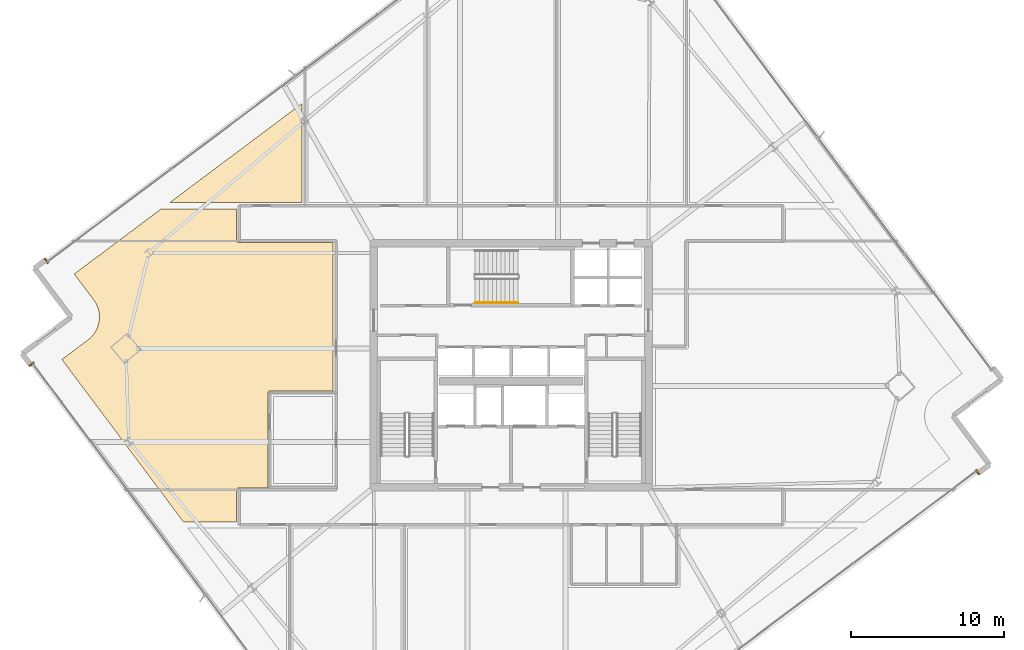
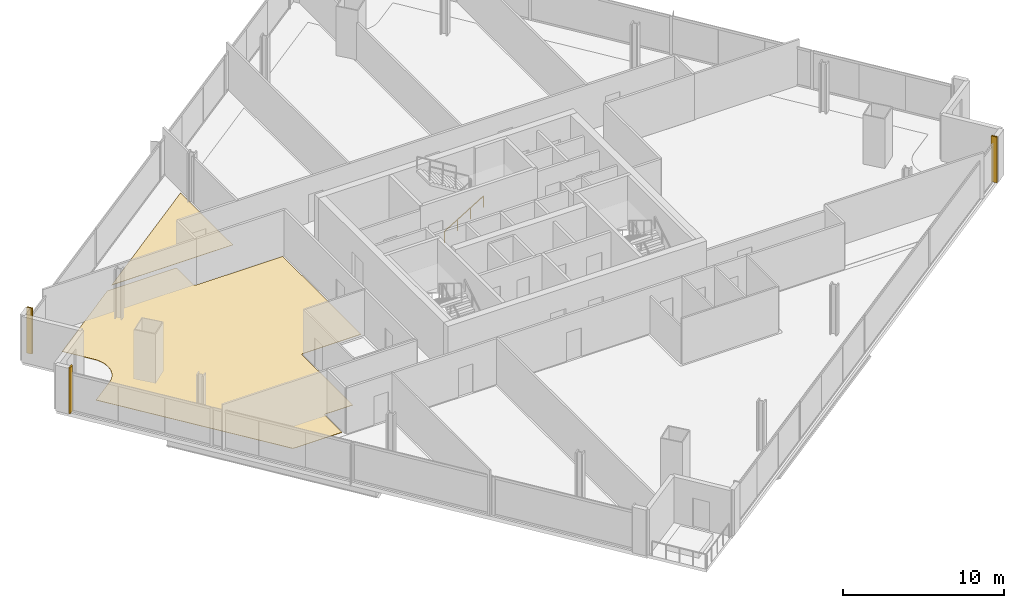
# One storey, part 30 of 32: 5 coverings, 1 railing.
"""IFC4 building model written with IfcOpenShell, lengths in metres."""

import ifcopenshell
import ifcopenshell.guid

model = None  # the IFC model being written
_history = None  # IfcOwnerHistory: only IFC2X3 demands one
_inside = {}  # id of a spatial element -> (the spatial element, [elements in it])
_under = {}  # id of a project, library or spatial element -> (it, [spatial elements below it])
_declared = {}  # id of a project -> (the project, [libraries it declares])
_typed = {}  # id of a type object -> (the type object, [elements of that type])
_made_of = {}  # id of a material, layer set ... -> (it, [elements and type objects made of it])


def new_model(schema):
    """Start an empty IFC model of exactly this schema.

    Asked for "IFC4X3", IfcOpenShell would pick the latest addendum, in which some entities
    have other attributes; the version numbers below select the first issue.
    IFC2X3 requires an IfcOwnerHistory on every rooted entity: one is made here for all.
    """
    global model, _history
    if schema == "IFC4X3":
        model = ifcopenshell.file(schema_version=(4, 3, 0, 0))
    else:
        model = ifcopenshell.file(schema=schema)
    _inside.clear()
    _under.clear()
    _declared.clear()
    _typed.clear()
    _made_of.clear()
    _history = None
    if model.schema == "IFC2X3":
        org = make("IfcOrganization", Name="unknown")
        user = make(
            "IfcPersonAndOrganization",
            ThePerson=make("IfcPerson", FamilyName="unknown"),
            TheOrganization=org,
        )
        app = make(
            "IfcApplication",
            ApplicationDeveloper=org,
            Version="unknown",
            ApplicationFullName="unknown",
            ApplicationIdentifier="unknown",
        )
        _history = make(
            "IfcOwnerHistory",
            OwningUser=user,
            OwningApplication=app,
            ChangeAction="ADDED",
            CreationDate=0,
        )
    return model


def make(cls, **values):
    """One entity of the class cls with the attributes given. An attribute that is None is left unset."""
    return model.create_entity(
        cls, **{name: value for name, value in values.items() if value is not None}
    )


def rooted(cls, **values):
    """An entity with a GlobalId (a new one), such as an element, a storey or a relation."""
    return make(cls, GlobalId=ifcopenshell.guid.new(), OwnerHistory=_history, **values)


def si_unit(unit_type, name, prefix=None):
    """IfcSIUnit, for example si_unit("LENGTHUNIT", "METRE", prefix="MILLI")."""
    return make("IfcSIUnit", UnitType=unit_type, Prefix=prefix, Name=name)


def assignment(units):
    """IfcUnitAssignment: the units of a project."""
    return None if units is None else make("IfcUnitAssignment", Units=units)


def point(xyz):
    """IfcCartesianPoint."""
    return None if xyz is None else make("IfcCartesianPoint", Coordinates=xyz)


def direction(xyz):
    """IfcDirection."""
    return None if xyz is None else make("IfcDirection", DirectionRatios=xyz)


def frame(location, z_axis=None, x_axis=None):
    """IfcAxis2Placement3D, a coordinate frame: its origin and axes. An axis left out is left unset."""
    return make(
        "IfcAxis2Placement3D",
        Location=point(location),
        Axis=direction(z_axis),
        RefDirection=direction(x_axis),
    )


def frame_2d(location, x_axis=None):
    """IfcAxis2Placement2D, a coordinate frame in the plane: its origin and x axis."""
    return make(
        "IfcAxis2Placement2D", Location=point(location), RefDirection=direction(x_axis)
    )


def origin():
    """The frame at (0, 0, 0) with its axes left unset."""
    return frame((0.0, 0.0, 0.0))


def origin_2d():
    """The frame at (0, 0) in the plane with its x axis left unset."""
    return frame_2d((0.0, 0.0))


def place(relative_to, where):
    """IfcLocalPlacement: puts the frame where relative to a parent placement (None: the world)."""
    return make(
        "IfcLocalPlacement", PlacementRelTo=relative_to, RelativePlacement=where
    )


def context(
    kind, dimensions, precision=None, world=None, true_north=None, identifier=None
):
    """IfcGeometricRepresentationContext, for example the 3D "Model" context."""
    return make(
        "IfcGeometricRepresentationContext",
        ContextIdentifier=identifier,
        ContextType=kind,
        CoordinateSpaceDimension=dimensions,
        Precision=precision,
        WorldCoordinateSystem=world,
        TrueNorth=true_north,
    )


def subcontext(parent, identifier, kind, view, scale=None):
    """IfcGeometricRepresentationSubContext, for example "Body" below "Model"."""
    return make(
        "IfcGeometricRepresentationSubContext",
        ContextIdentifier=identifier,
        ContextType=kind,
        ParentContext=parent,
        TargetScale=scale,
        TargetView=view,
    )


def project(units=None, contexts=None):
    """IfcProject with its units and contexts."""
    return rooted(
        "IfcProject",
        Name="project",
        RepresentationContexts=contexts,
        UnitsInContext=assignment(units),
    )


def spatial(cls, under=None, at=None, **own):
    """A site, building, storey or space (cls), placed at a placement, below another one or the project."""
    s = rooted(cls, ObjectPlacement=at, **own)
    if under is not None:
        _under.setdefault(under.id(), (under, []))[1].append(s)
    return s


def polyline(points):
    """IfcPolyline through the points."""
    return make("IfcPolyline", Points=[point(p) for p in points])


def profile(cls, at=None, kind="AREA", **sizes):
    """A parametric profile (cls). Its sizes go by their IFC names, for example OverallWidth=200.0."""
    return make(cls, ProfileType=kind, Position=at, **sizes)


def rectangle(**sizes):
    """IfcRectangleProfileDef."""
    return profile("IfcRectangleProfileDef", **sizes)


def outline(outer, holes=None, kind="AREA"):
    """IfcArbitraryClosedProfileDef: a profile drawn as a closed curve; with holes, ...WithVoids."""
    if holes is None:
        return make("IfcArbitraryClosedProfileDef", ProfileType=kind, OuterCurve=outer)
    return make(
        "IfcArbitraryProfileDefWithVoids",
        ProfileType=kind,
        OuterCurve=outer,
        InnerCurves=holes,
    )


def extrude(swept, where, along, depth):
    """IfcExtrudedAreaSolid: the profile swept, set in the frame where, extruded along a direction by depth."""
    return make(
        "IfcExtrudedAreaSolid",
        SweptArea=swept,
        Position=where,
        ExtrudedDirection=direction(along),
        Depth=depth,
    )


def shape(context_of_items, identifier, shape_type, items):
    """IfcShapeRepresentation: the items that make up one representation, for example the "Body"."""
    return make(
        "IfcShapeRepresentation",
        ContextOfItems=context_of_items,
        RepresentationIdentifier=identifier,
        RepresentationType=shape_type,
        Items=items,
    )


def source(mapping_origin, context_of_items, identifier, shape_type, items):
    """IfcRepresentationMap: a shape defined once, which mapped items show again and again."""
    return make(
        "IfcRepresentationMap",
        MappingOrigin=mapping_origin,
        MappedRepresentation=shape(context_of_items, identifier, shape_type, items),
    )


def transform(
    local_origin,
    x_axis=None,
    y_axis=None,
    z_axis=None,
    scale=None,
    scale2=None,
    scale3=None,
    uniform=True,
):
    """IfcCartesianTransformationOperator3D, or its non-uniform kind. x_axis, y_axis, z_axis: its Axis1, 2, 3."""
    if uniform:
        return make(
            "IfcCartesianTransformationOperator3D",
            Axis1=direction(x_axis),
            Axis2=direction(y_axis),
            LocalOrigin=point(local_origin),
            Scale=scale,
            Axis3=direction(z_axis),
        )
    return make(
        "IfcCartesianTransformationOperator3DnonUniform",
        Axis1=direction(x_axis),
        Axis2=direction(y_axis),
        LocalOrigin=point(local_origin),
        Scale=scale,
        Axis3=direction(z_axis),
        Scale2=scale2,
        Scale3=scale3,
    )


def mapped(mapping_source, mapping_target):
    """IfcMappedItem: shows the shape of a source again, moved by a transform."""
    return make(
        "IfcMappedItem", MappingSource=mapping_source, MappingTarget=mapping_target
    )


def material(Name=None, Category=None):
    """IfcMaterial."""
    return make("IfcMaterial", Name=Name, Category=Category)


def layer(
    of_material, thickness, ventilated=None, Name=None, Category=None, Priority=None
):
    """IfcMaterialLayer: one layer of a wall or slab, of a material (None: an air gap)."""
    return make(
        "IfcMaterialLayer",
        Material=of_material,
        LayerThickness=thickness,
        IsVentilated=ventilated,
        Name=Name,
        Category=Category,
        Priority=Priority,
    )


def layer_set(layers, Name=None):
    """IfcMaterialLayerSet."""
    return make("IfcMaterialLayerSet", MaterialLayers=layers, LayerSetName=Name)


def made_of(thing, what):
    """Note that an element or type object is made of a material, layer set ...; save() writes the relation."""
    if what is not None:
        _made_of.setdefault(what.id(), (what, []))[1].append(thing)
    return thing


def type_object(cls, material=None, **own):
    """A type object (cls), such as IfcWallType, which elements share."""
    return made_of(rooted(cls, **own), material)


def element(
    cls,
    number,
    at=None,
    inside=None,
    cuts=None,
    type_object=None,
    material=None,
    context=None,
    identifier="Body",
    shape_type=None,
    held_by="IfcProductDefinitionShape",
    body=None,
    shapes=None,
    **own,
):
    """One element of the class cls, such as IfcWall. Its Tag is "e" and its number.

    at: its placement. inside: the storey or other place that contains it. cuts: it is an
    opening in that element (IfcRelVoidsElement). A single representation is given by context,
    identifier, shape_type and body (its items); several are given by shapes. held_by: the class
    of the entity that holds the representations. save() writes the other relations.
    """
    e = rooted(cls, Tag="e%d" % number, ObjectPlacement=at, **own)
    if body is not None:
        shapes = [shape(context, identifier, shape_type, body)]
    if shapes is not None:
        e.Representation = make(held_by, Representations=shapes)
    if inside is not None:
        _inside.setdefault(inside.id(), (inside, []))[1].append(e)
    if cuts is not None:
        rooted(
            "IfcRelVoidsElement", RelatingBuildingElement=cuts, RelatedOpeningElement=e
        )
    if type_object is not None:
        _typed.setdefault(type_object.id(), (type_object, []))[1].append(e)
    return made_of(e, material)


def aggregate(whole, parts):
    """IfcRelAggregates: a whole, such as a stair, and the parts it consists of."""
    return rooted("IfcRelAggregates", RelatingObject=whole, RelatedObjects=parts)


def save(model, path):
    """Write the relations noted so far, then the file.

    IfcRelAggregates (storeys below a building ...), IfcRelContainedInSpatialStructure (elements
    in a storey), IfcRelDefinesByType, IfcRelAssociatesMaterial and IfcRelDeclares: one each for
    every whole, place, type object, material and project.
    """
    for whole, parts in _under.values():
        aggregate(whole, parts)
    for where, things in _inside.values():
        rooted(
            "IfcRelContainedInSpatialStructure",
            RelatedElements=things,
            RelatingStructure=where,
        )
    for kind, things in _typed.values():
        rooted("IfcRelDefinesByType", RelatedObjects=things, RelatingType=kind)
    for what, things in _made_of.values():
        rooted("IfcRelAssociatesMaterial", RelatedObjects=things, RelatingMaterial=what)
    for by, libraries in _declared.values():
        rooted("IfcRelDeclares", RelatingContext=by, RelatedDefinitions=libraries)
    model.write(path)


model = new_model("IFC4")

# Units and contexts
model_context = context("Model", 3, precision=1e-05, world=origin(), true_north=direction((0.0, 1.0)))
body_context = subcontext(model_context, "Body", "Model", "MODEL_VIEW")
ifc_project = project(units=[si_unit("LENGTHUNIT", "METRE"), si_unit("AREAUNIT", "SQUARE_METRE"), si_unit("VOLUMEUNIT", "CUBIC_METRE"), si_unit("PLANEANGLEUNIT", "RADIAN"), si_unit("MASSUNIT", "GRAM", prefix="KILO")], contexts=[model_context])

# Site, building, storey
site_placement = place(None, origin())
site = spatial("IfcSite", under=ifc_project, at=site_placement, CompositionType="ELEMENT")
building_placement = place(site_placement, origin())
building = spatial("IfcBuilding", under=site, at=building_placement, Name="Haldenkirk Collegiate Tower", CompositionType="ELEMENT")
storey_placement = place(building_placement, frame((0.0, 0.0, 151.949951171875)))
storey = spatial("IfcBuildingStorey", under=building, at=storey_placement, Name="L37", CompositionType="ELEMENT", Elevation=151.949951171875)

# Coverings
ifc_material_1 = material(Name="Polished collegiate terrazzo", Category="concrete")
ifc_layer_1 = layer(ifc_material_1, 0.02490234375)
ifc_layer_set_1 = layer_set([ifc_layer_1], Name="Polished collegiate terrazzo")
covering_type_1 = type_object("IfcCoveringType", Name="COV-FLOOR-TERRAZZO", PredefinedType="FLOORING", material=ifc_layer_set_1)
covering_1_placement = place(storey_placement, origin())
element("IfcCovering", 1, at=covering_1_placement, inside=storey, type_object=covering_type_1, Name="L37 academic room finish 10", PredefinedType="FLOORING", context=body_context, shape_type="SweptSolid", body=[
    extrude(outline(polyline([(8.283935546875, 27.65771484375), (8.28857421875, 27.66162109375), (8.4208984375, 27.77099609375), (8.4296875, 27.77880859375), (8.550537109375, 27.90087890625), (8.558349609375, 27.90966796875), (8.666748046875, 28.04296875), (8.673828125, 28.052490234375), (8.7685546875, 28.195556640625), (8.7744140625, 28.20556640625), (8.85498046875, 28.357421875), (8.860107421875, 28.3681640625), (8.925048828125, 28.527099609375), (8.928955078125, 28.5380859375), (8.97802734375, 28.70263671875), (8.98095703125, 28.714111328125), (9.013671875, 28.8828125), (9.015380859375, 28.894287109375), (9.031494140625, 29.0654296875), (9.031982421875, 29.0771484375), (9.03125, 29.248779296875), (9.03076171875, 29.260498046875), (9.01318359375, 29.431396484375), (9.011474609375, 29.443115234375), (8.977294921875, 29.611328125), (8.974365234375, 29.622802734375), (8.923583984375, 29.787109375), (8.919677734375, 29.7978515625), (8.853515625, 29.956298828125), (8.848388671875, 29.967041015625), (8.7666015625, 30.1181640625), (8.760498046875, 30.128173828125), (8.66455078125, 30.2705078125), (8.6611328125, 30.275390625), (7.38525390625, 31.98095703125), (13.091796875, 36.25), (18.030029296875, 36.25), (18.030029296875, 34.14990234375), (18.030517578125, 34.13818359375), (18.0322265625, 34.126708984375), (18.03515625, 34.115234375), (18.0390625, 34.10400390625), (18.044189453125, 34.093505859375), (18.05029296875, 34.083251953125), (18.05712890625, 34.073974609375), (18.065185546875, 34.065185546875), (18.073974609375, 34.05712890625), (18.083251953125, 34.05029296875), (18.093505859375, 34.044189453125), (18.10400390625, 34.0390625), (18.115234375, 34.03515625), (18.126708984375, 34.0322265625), (18.13818359375, 34.030517578125), (18.14990234375, 34.030029296875), (24.35009765625, 34.030029296875), (24.35009765625, 24.320068359375), (20.199951171875, 24.320068359375), (20.188232421875, 24.3193359375), (20.176513671875, 24.317626953125), (20.165283203125, 24.314697265625), (20.154052734375, 24.310791015625), (20.143310546875, 24.305908203125), (20.13330078125, 24.2998046875), (20.123779296875, 24.292724609375), (20.114990234375, 24.284912109375), (20.107177734375, 24.276123046875), (20.10009765625, 24.2666015625), (20.09423828125, 24.256591796875), (20.089111328125, 24.245849609375), (20.085205078125, 24.23486328125), (20.082275390625, 24.223388671875), (20.08056640625, 24.2119140625), (20.080078125, 24.199951171875), (20.080078125, 18.0), (20.08056640625, 17.98828125), (20.082275390625, 17.9765625), (20.083984375, 17.969970703125), (18.14990234375, 17.969970703125), (18.13818359375, 17.969482421875), (18.126708984375, 17.9677734375), (18.115234375, 17.96484375), (18.10400390625, 17.9609375), (18.093505859375, 17.955810546875), (18.083251953125, 17.94970703125), (18.073974609375, 17.94287109375), (18.065185546875, 17.934814453125), (18.05712890625, 17.926025390625), (18.05029296875, 17.916748046875), (18.044189453125, 17.906494140625), (18.0390625, 17.89599609375), (18.03515625, 17.884765625), (18.0322265625, 17.873291015625), (18.030517578125, 17.86181640625), (18.030029296875, 17.85009765625), (18.030029296875, 15.75), (14.531982421875, 15.75), (6.57861328125, 26.3818359375), (8.283935546875, 27.65771484375)])), origin(), (0.0, 0.0, 1.0), 0.025146484375),
])
ifc_material_2 = material(Name="Engineered collegiate oak acoustic flooring", Category="wood")
ifc_layer_2 = layer(ifc_material_2, 0.02197265625)
ifc_layer_set_2 = layer_set([ifc_layer_2], Name="Engineered collegiate oak acoustic flooring")
covering_type_2 = type_object("IfcCoveringType", Name="COV-FLOOR-TIMBER", PredefinedType="FLOORING", material=ifc_layer_set_2)
covering_2_placement = place(storey_placement, origin())
element("IfcCovering", 2, at=covering_2_placement, inside=storey, type_object=covering_type_2, Name="L37 academic room finish 05", PredefinedType="FLOORING", context=body_context, shape_type="SweptSolid", body=[
    extrude(outline(polyline([(22.300048828125, 43.138671875), (22.300048828125, 36.64990234375), (13.62646484375, 36.64990234375), (22.300048828125, 43.138671875)])), origin(), (0.0, 0.0, 1.0), 0.02197265625),
])

# Railing
ifc_material_3 = material(Name="Painted architectural tubular steel", Category="steel")
railing_type = type_object("IfcRailingType", Name="RLG-STAIR-HANDRAIL-900", PredefinedType="HANDRAIL", material=ifc_material_3)
railing_placement = place(storey_placement, frame((33.64990234375, 30.10009765625, 0.17041015625)))
element("IfcRailing", 3, at=railing_placement, inside=storey, type_object=railing_type, Name="L37 ST-3 stair handrail 1", PredefinedType="HANDRAIL", context=body_context, shape_type="SweptSolid", body=[
    extrude(rectangle(XDim=0.048095703125, YDim=0.048095703125, at=origin_2d()), frame((0.0, 0.0, 0.8759765625), z_axis=(0.854169791009, 0.0, 0.51999420009), x_axis=(0.0, 1.0, 0.0)), (0.0, 0.0, 1.0), 3.278076171875),
    extrude(rectangle(XDim=0.0419921875, YDim=0.0419921875, at=origin_2d()), origin(), (0.0, 0.0, 1.0), 0.851806640625),
    extrude(rectangle(XDim=0.0419921875, YDim=0.0419921875, at=origin_2d()), frame((0.933349609375, 0.0, 0.568115234375)), (0.0, 0.0, 1.0), 0.851806640625),
    extrude(rectangle(XDim=0.0419921875, YDim=0.0419921875, at=origin_2d()), frame((1.86669921875, 0.0, 1.136474609375)), (0.0, 0.0, 1.0), 0.851806640625),
    extrude(rectangle(XDim=0.0419921875, YDim=0.0419921875, at=origin_2d()), frame((2.800048828125, 0.0, 1.70458984375)), (0.0, 0.0, 1.0), 0.851806640625),
])

# Coverings
ifc_material_4 = material(Name="Anodised architectural bronze aluminium", Category="aluminium")
ifc_layer_3 = layer(ifc_material_4, 0.06005859375)
ifc_layer_set_3 = layer_set([ifc_layer_3], Name="Anodised architectural bronze aluminium")
covering_type_3 = type_object("IfcCoveringType", Name="COV-CLAD-BRONZE-60", PredefinedType="CLADDING", material=ifc_layer_set_3)
shared_shape = source(origin(), body_context, "Body", "SweptSolid", [
    extrude(rectangle(XDim=0.10009765625, YDim=0.3798828125, at=origin_2d()), origin(), (0.0, 0.0, 1.0), 3.4599609375),
])
for number, where, z_axis, x_axis, name in (
    (4, (66.553466796875, 18.99658203125, 0.0), (0.0, 0.0, 1.0), (-0.800731370949, -0.599023598516, 0.0), "L37 recessed curtain-wall bronze jamb closure SJL"),
    (5, (5.56640625, 32.843017578125, 0.0), (0.0, 0.0, 1.0), (0.800731370949, 0.599023598516, 0.0), "L37 recessed curtain-wall bronze jamb closure NJL"),
    (6, (4.590087890625, 26.068359375, 0.0), (0.0, 0.0, 1.0), (-0.599023598516, 0.800731370949, 0.0), "L37 recessed curtain-wall bronze jamb closure WJR"),
):
    element("IfcCovering", number, at=place(storey_placement, frame(where, z_axis=z_axis, x_axis=x_axis)), inside=storey, type_object=covering_type_3, Name=name, PredefinedType="CLADDING", context=body_context, shape_type="MappedRepresentation", body=[
        mapped(shared_shape, transform((0.0, 0.0, 0.0), x_axis=(1.0, 0.0, 0.0), y_axis=(0.0, 1.0, 0.0), z_axis=(0.0, 0.0, 1.0), scale=1.0)),
    ])

save(model, "model.ifc")
